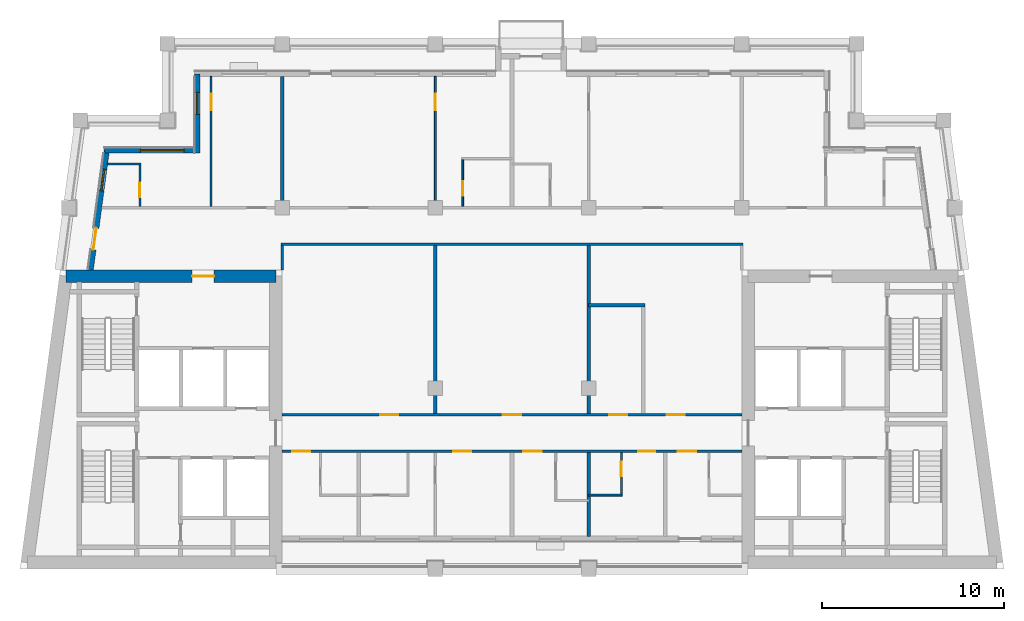
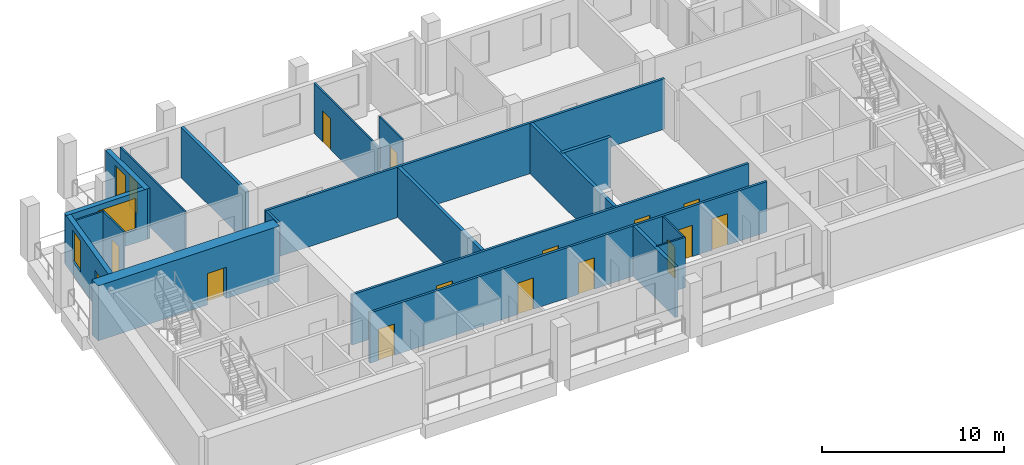
# One storey, part 3 of 10: 20 walls, 16 doors, 3 windows, 19 openings.
"""IFC4 building model written with IfcOpenShell, lengths in metres."""

from ifc_helpers import new_model, si_unit, direction, frame, frame_2d, origin, place, context, subcontext, project, spatial, rectangle, extrude, material, layer, layer_set, type_object, element, fill, save


model = new_model("IFC4")

# Units and contexts
model_context = context("Model", 3, precision=1e-05, world=origin(), true_north=direction((0.0, 1.0)))
body_context = subcontext(model_context, "Body", "Model", "MODEL_VIEW")
ifc_project = project(units=[si_unit("LENGTHUNIT", "METRE"), si_unit("AREAUNIT", "SQUARE_METRE"), si_unit("VOLUMEUNIT", "CUBIC_METRE"), si_unit("PLANEANGLEUNIT", "RADIAN"), si_unit("MASSUNIT", "GRAM", prefix="KILO")], contexts=[model_context])

# Site, building, storey
site_placement = place(None, origin())
site = spatial("IfcSite", under=ifc_project, at=site_placement, CompositionType="ELEMENT")
building_placement = place(site_placement, origin())
building = spatial("IfcBuilding", under=site, at=building_placement, Name="Candeia Pilgrim Tower and Theatre", CompositionType="ELEMENT")
storey_placement = place(building_placement, frame((0.0, 0.0, 284.89990234375)))
storey = spatial("IfcBuildingStorey", under=building, at=storey_placement, Name="L69", CompositionType="ELEMENT", Elevation=284.89990234375)

# Wall, opening, door
ifc_material_1 = material(Name="Concrete C40/50", Category="concrete")
ifc_layer_1 = layer(ifc_material_1, 0.699951171875)
ifc_layer_set_1 = layer_set([ifc_layer_1], Name="Core wall 700 C40/50")
wall_type_1 = type_object("IfcWallType", Name="Core wall 700 C40/50", PredefinedType="SHEAR", material=ifc_layer_set_1)
wall_1_placement = place(storey_placement, frame((88.936767578125, 132.050048828125, 0.0), z_axis=(0.0, 0.0, 1.0), x_axis=(1.0, 0.0, 0.0)))
wall_1 = element("IfcWall", 1, at=wall_1_placement, inside=storey, type_object=wall_type_1, Name="Core wall W1", PredefinedType="SHEAR", context=body_context, shape_type="SweptSolid", body=[
    extrude(rectangle(XDim=11.51318359375, YDim=0.699951171875, at=frame_2d((5.756591796875, 0.0))), origin(), (0.0, 0.0, 1.0), 3.7001953125),
])
opening_1_placement = place(wall_1_placement, frame((6.9267578125, 0.0, 0.0)))
opening_1 = element("IfcOpeningElement", 2, at=opening_1_placement, cuts=wall_1, Name="Opening L69-D036", PredefinedType="OPENING", context=body_context, shape_type="SweptSolid", body=[
    extrude(rectangle(XDim=1.199951171875, YDim=2.10009765625, at=frame_2d((0.60009765625, 1.050048828125))), frame((0.0, 0.35986328125, 0.0), z_axis=(0.0, -1.0, 0.0), x_axis=(1.0, 0.0, 0.0)), (0.0, 0.0, 1.0), 0.719970703125),
])
ifc_material_2 = material(Name="Steel fire door set", Category="steel")
door_type_1 = type_object("IfcDoorType", Name="D-1200-FD60", OperationType="NOTDEFINED", PredefinedType="DOOR", material=ifc_material_2)
door_1_placement = place(opening_1_placement, origin())
door_1 = element("IfcDoor", 3, at=door_1_placement, inside=storey, type_object=door_type_1, Name="Door L69-D036", OperationType="SINGLE_SWING_LEFT", OverallHeight=2.10009765625, OverallWidth=1.199951171875, PredefinedType="DOOR", context=body_context, shape_type="SweptSolid", body=[
    extrude(rectangle(XDim=1.199951171875, YDim=2.10009765625, at=frame_2d((0.60009765625, 1.050048828125))), frame((0.0, 0.02490234375, 0.0), z_axis=(0.0, -1.0, 0.0), x_axis=(1.0, 0.0, 0.0)), (0.0, 0.0, 1.0), 0.050048828125),
])
fill(opening_1, door_1)

# Wall, openings, door, window
ifc_material_3 = material(Name="Ceramic block masonry", Category="masonry")
ifc_layer_2 = layer(ifc_material_3, 0.300048828125)
ifc_layer_set_2 = layer_set([ifc_layer_2], Name="EW1 glazing-line wall 300")
wall_type_2 = type_object("IfcWallType", Name="EW1 glazing-line wall 300", PredefinedType="SOLIDWALL", material=ifc_layer_set_2)
wall_2_placement = place(storey_placement, frame((91.177490234375, 138.949951171875, 0.0), z_axis=(0.0, 0.0, 1.0), x_axis=(-0.133426664613, -0.991058689065, 0.0)))
wall_2 = element("IfcWall", 4, at=wall_2_placement, inside=storey, type_object=wall_type_2, Name="External wall L69-0.0", PredefinedType="SOLIDWALL", context=body_context, shape_type="SweptSolid", body=[
    extrude(rectangle(XDim=6.609130859375, YDim=0.300048828125, at=frame_2d((3.3046875, 0.0))), origin(), (0.0, 0.0, 1.0), 3.380126953125),
])
opening_2_placement = place(wall_2_placement, frame((1.039306640625, 0.0, 0.89990234375)))
opening_2 = element("IfcOpeningElement", 5, at=opening_2_placement, cuts=wall_2, Name="Opening W-B", PredefinedType="OPENING", context=body_context, shape_type="SweptSolid", body=[
    extrude(rectangle(XDim=1.199951171875, YDim=2.10009765625, at=frame_2d((0.60009765625, 1.050048828125))), frame((0.0, 0.16015625, 0.0), z_axis=(0.0, -1.0, 0.0), x_axis=(1.0, 0.0, 0.0)), (0.0, 0.0, 1.0), 0.320068359375),
])
opening_3_placement = place(wall_2_placement, frame((4.293701171875, 0.0, 0.0)))
opening_3 = element("IfcOpeningElement", 6, at=opening_3_placement, cuts=wall_2, Name="Opening L69-ED645", PredefinedType="OPENING", context=body_context, shape_type="SweptSolid", body=[
    extrude(rectangle(XDim=1.199951171875, YDim=2.39990234375, at=frame_2d((0.60009765625, 1.199951171875))), frame((0.0, 0.16015625, 0.0), z_axis=(0.0, -1.0, 0.0), x_axis=(1.0, 0.0, 0.0)), (0.0, 0.0, 1.0), 0.320068359375),
])
ifc_material_4 = material(Name="Aluminium framed glazed door", Category="aluminium")
door_type_2 = type_object("IfcDoorType", Name="Loggia door 1200x2400", OperationType="DOUBLE_DOOR_SINGLE_SWING", PredefinedType="DOOR", material=ifc_material_4)
door_2_placement = place(opening_3_placement, origin())
door_2 = element("IfcDoor", 7, at=door_2_placement, inside=storey, type_object=door_type_2, Name="Loggia door L69-ED645", OperationType="DOUBLE_DOOR_SINGLE_SWING", OverallHeight=2.39990234375, OverallWidth=1.199951171875, PredefinedType="DOOR", context=body_context, shape_type="SweptSolid", body=[
    extrude(rectangle(XDim=1.199951171875, YDim=2.39990234375, at=frame_2d((0.60009765625, 1.199951171875))), frame((0.0, 0.02490234375, 0.0), z_axis=(0.0, -1.0, 0.0), x_axis=(1.0, 0.0, 0.0)), (0.0, 0.0, 1.0), 0.050048828125),
])
fill(opening_3, door_2)
ifc_material_5 = material(Name="Aluminium framed double glazing", Category="aluminium")
window_type_1 = type_object("IfcWindowType", Name="W-B window 1200x2100", PartitioningType="SINGLE_PANEL", PredefinedType="WINDOW", material=ifc_material_5)
window_1_placement = place(opening_2_placement, origin())
window_1 = element("IfcWindow", 8, at=window_1_placement, inside=storey, type_object=window_type_1, Name="Window W-B L69", OverallHeight=2.10009765625, OverallWidth=1.199951171875, PartitioningType="SINGLE_PANEL", PredefinedType="WINDOW", context=body_context, shape_type="SweptSolid", body=[
    extrude(rectangle(XDim=1.199951171875, YDim=2.10009765625, at=frame_2d((0.60009765625, 1.050048828125))), frame((0.0, 0.030029296875, 0.0), z_axis=(0.0, -1.0, 0.0), x_axis=(1.0, 0.0, 0.0)), (0.0, 0.0, 1.0), 0.06005859375),
])
fill(opening_2, window_1)

# Wall, opening, window
wall_3_placement = place(storey_placement, frame((96.14990234375, 143.14990234375, 0.0), z_axis=(0.0, 0.0, 1.0), x_axis=(0.0, -1.0, 0.0)))
wall_3 = element("IfcWall", 9, at=wall_3_placement, inside=storey, type_object=wall_type_2, Name="External wall L69-6.0", PredefinedType="SOLIDWALL", context=body_context, shape_type="SweptSolid", body=[
    extrude(rectangle(XDim=4.349853515625, YDim=0.300048828125, at=frame_2d((2.1748046875, 0.0))), origin(), (0.0, 0.0, 1.0), 3.380126953125),
])
opening_4_placement = place(wall_3_placement, frame((1.02490234375, 0.0, 0.89990234375)))
opening_4 = element("IfcOpeningElement", 10, at=opening_4_placement, cuts=wall_3, Name="Opening W-B", PredefinedType="OPENING", context=body_context, shape_type="SweptSolid", body=[
    extrude(rectangle(XDim=1.199951171875, YDim=2.10009765625, at=frame_2d((0.60009765625, 1.050048828125))), frame((0.0, 0.16015625, 0.0), z_axis=(0.0, -1.0, 0.0), x_axis=(1.0, 0.0, 0.0)), (0.0, 0.0, 1.0), 0.320068359375),
])
window_2_placement = place(opening_4_placement, origin())
window_2 = element("IfcWindow", 11, at=window_2_placement, inside=storey, type_object=window_type_1, Name="Window W-B L69", OverallHeight=2.10009765625, OverallWidth=1.199951171875, PartitioningType="SINGLE_PANEL", PredefinedType="WINDOW", context=body_context, shape_type="SweptSolid", body=[
    extrude(rectangle(XDim=1.199951171875, YDim=2.10009765625, at=frame_2d((0.60009765625, 1.050048828125))), frame((0.0, 0.030029296875, 0.0), z_axis=(0.0, -1.0, 0.0), x_axis=(1.0, 0.0, 0.0)), (0.0, 0.0, 1.0), 0.06005859375),
])
fill(opening_4, window_2)

wall_4_placement = place(storey_placement, frame((96.14990234375, 138.949951171875, 0.0), z_axis=(0.0, 0.0, 1.0), x_axis=(-1.0, 0.0, 0.0)))
wall_4 = element("IfcWall", 12, at=wall_4_placement, inside=storey, type_object=wall_type_2, Name="External wall L69-7.0", PredefinedType="SOLIDWALL", context=body_context, shape_type="SweptSolid", body=[
    extrude(rectangle(XDim=5.103759765625, YDim=0.300048828125, at=frame_2d((2.5517578125, 0.0))), origin(), (0.0, 0.0, 1.0), 3.380126953125),
])
opening_5_placement = place(wall_4_placement, frame((0.72509765625, 0.0, 0.89990234375)))
opening_5 = element("IfcOpeningElement", 13, at=opening_5_placement, cuts=wall_4, Name="Opening W-A", PredefinedType="OPENING", context=body_context, shape_type="SweptSolid", body=[
    extrude(rectangle(XDim=2.39990234375, YDim=2.10009765625, at=frame_2d((1.199951171875, 1.050048828125))), frame((0.0, 0.16015625, 0.0), z_axis=(0.0, -1.0, 0.0), x_axis=(1.0, 0.0, 0.0)), (0.0, 0.0, 1.0), 0.320068359375),
])
window_type_2 = type_object("IfcWindowType", Name="W-A window 2400x2100", PartitioningType="DOUBLE_PANEL_VERTICAL", PredefinedType="WINDOW", material=ifc_material_5)
window_3_placement = place(opening_5_placement, origin())
window_3 = element("IfcWindow", 14, at=window_3_placement, inside=storey, type_object=window_type_2, Name="Window W-A L69", OverallHeight=2.10009765625, OverallWidth=2.39990234375, PartitioningType="SINGLE_PANEL", PredefinedType="WINDOW", context=body_context, shape_type="SweptSolid", body=[
    extrude(rectangle(XDim=2.39990234375, YDim=2.10009765625, at=frame_2d((1.199951171875, 1.050048828125))), frame((0.0, 0.030029296875, 0.0), z_axis=(0.0, -1.0, 0.0), x_axis=(1.0, 0.0, 0.0)), (0.0, 0.0, 1.0), 0.06005859375),
])
fill(opening_5, window_3)

# Walls
ifc_material_6 = material(Name="Gypsum board partition on steel studs", Category="steel")
ifc_layer_3 = layer(ifc_material_6, 0.10009765625)
ifc_layer_set_3 = layer_set([ifc_layer_3], Name="PW-100 room partition")
wall_type_3 = type_object("IfcWallType", Name="PW-100 room partition", PredefinedType="PARTITIONING", material=ifc_layer_set_3)
wall_5_placement = place(storey_placement, frame((117.60009765625, 120.050048828125, 0.0), z_axis=(0.0, 0.0, 1.0), x_axis=(1.0, 0.0, 0.0)))
element("IfcWall", 15, at=wall_5_placement, inside=storey, type_object=wall_type_3, Name="Room partition L69-011", PredefinedType="PARTITIONING", context=body_context, shape_type="SweptSolid", body=[
    extrude(rectangle(XDim=1.849853515625, YDim=0.10009765625, at=frame_2d((0.9248046875, 0.0))), origin(), (0.0, 0.0, 1.0), 3.380126953125),
])
wall_6_placement = place(storey_placement, frame((91.2177734375, 138.199951171875, 0.0), z_axis=(0.0, 0.0, 1.0), x_axis=(1.0, 0.0, 0.0)))
element("IfcWall", 16, at=wall_6_placement, inside=storey, type_object=wall_type_3, Name="Room partition L69-034", PredefinedType="PARTITIONING", context=body_context, shape_type="SweptSolid", body=[
    extrude(rectangle(XDim=1.832275390625, YDim=0.10009765625, at=frame_2d((0.916015625, 0.0))), origin(), (0.0, 0.0, 1.0), 3.380126953125),
])

# Wall, opening, door
wall_7_placement = place(storey_placement, frame((93.0, 135.875, 0.0), z_axis=(0.0, 0.0, 1.0), x_axis=(0.0, 1.0, 0.0)))
wall_7 = element("IfcWall", 17, at=wall_7_placement, inside=storey, type_object=wall_type_3, Name="Room partition L69-043", PredefinedType="PARTITIONING", context=body_context, shape_type="SweptSolid", body=[
    extrude(rectangle(XDim=2.27490234375, YDim=0.10009765625, at=frame_2d((1.137451171875, 0.0))), origin(), (0.0, 0.0, 1.0), 3.380126953125),
])
opening_6_placement = place(wall_7_placement, frame((0.5, 0.0, 0.0)))
opening_6 = element("IfcOpeningElement", 18, at=opening_6_placement, cuts=wall_7, Name="Opening L69-D022", PredefinedType="OPENING", context=body_context, shape_type="SweptSolid", body=[
    extrude(rectangle(XDim=0.800048828125, YDim=2.10009765625, at=frame_2d((0.39990234375, 1.050048828125))), frame((0.0, 0.06005859375, 0.0), z_axis=(0.0, -1.0, 0.0), x_axis=(1.0, 0.0, 0.0)), (0.0, 0.0, 1.0), 0.1201171875),
])
ifc_material_7 = material(Name="Timber door leaf", Category="wood")
door_type_3 = type_object("IfcDoorType", Name="D-800", OperationType="NOTDEFINED", PredefinedType="DOOR", material=ifc_material_7)
door_3_placement = place(opening_6_placement, origin())
door_3 = element("IfcDoor", 19, at=door_3_placement, inside=storey, type_object=door_type_3, Name="Door L69-D022", OperationType="SINGLE_SWING_LEFT", OverallHeight=2.10009765625, OverallWidth=0.800048828125, PredefinedType="DOOR", context=body_context, shape_type="SweptSolid", body=[
    extrude(rectangle(XDim=0.800048828125, YDim=2.10009765625, at=frame_2d((0.39990234375, 1.050048828125))), frame((0.0, 0.02490234375, 0.0), z_axis=(0.0, -1.0, 0.0), x_axis=(1.0, 0.0, 0.0)), (0.0, 0.0, 1.0), 0.050048828125),
])
fill(opening_6, door_3)

wall_8_placement = place(storey_placement, frame((96.89990234375, 135.875, 0.0), z_axis=(0.0, 0.0, 1.0), x_axis=(0.0, 1.0, 0.0)))
wall_8 = element("IfcWall", 20, at=wall_8_placement, inside=storey, type_object=wall_type_3, Name="Room partition L69-046", PredefinedType="PARTITIONING", context=body_context, shape_type="SweptSolid", body=[
    extrude(rectangle(XDim=7.135009765625, YDim=0.10009765625, at=frame_2d((3.5673828125, 0.0))), origin(), (0.0, 0.0, 1.0), 3.380126953125),
])
opening_7_placement = place(wall_8_placement, frame((5.2900390625, 0.0, 0.0)))
opening_7 = element("IfcOpeningElement", 21, at=opening_7_placement, cuts=wall_8, Name="Opening L69-D021", PredefinedType="OPENING", context=body_context, shape_type="SweptSolid", body=[
    extrude(rectangle(XDim=0.89990234375, YDim=2.10009765625, at=frame_2d((0.449951171875, 1.050048828125))), frame((0.0, 0.06005859375, 0.0), z_axis=(0.0, -1.0, 0.0), x_axis=(1.0, 0.0, 0.0)), (0.0, 0.0, 1.0), 0.1201171875),
])
door_type_4 = type_object("IfcDoorType", Name="D-900", OperationType="NOTDEFINED", PredefinedType="DOOR", material=ifc_material_7)
door_4_placement = place(opening_7_placement, origin())
door_4 = element("IfcDoor", 22, at=door_4_placement, inside=storey, type_object=door_type_4, Name="Door L69-D021", OperationType="SINGLE_SWING_RIGHT", OverallHeight=2.10009765625, OverallWidth=0.89990234375, PredefinedType="DOOR", context=body_context, shape_type="SweptSolid", body=[
    extrude(rectangle(XDim=0.89990234375, YDim=2.10009765625, at=frame_2d((0.449951171875, 1.050048828125))), frame((0.0, 0.02490234375, 0.0), z_axis=(0.0, -1.0, 0.0), x_axis=(1.0, 0.0, 0.0)), (0.0, 0.0, 1.0), 0.050048828125),
])
fill(opening_7, door_4)

wall_9_placement = place(storey_placement, frame((109.199951171875, 135.875, 0.0), z_axis=(0.0, 0.0, 1.0), x_axis=(0.0, 1.0, 0.0)))
wall_9 = element("IfcWall", 23, at=wall_9_placement, inside=storey, type_object=wall_type_3, Name="Room partition L69-056", PredefinedType="PARTITIONING", context=body_context, shape_type="SweptSolid", body=[
    extrude(rectangle(XDim=7.135009765625, YDim=0.10009765625, at=frame_2d((3.5673828125, 0.0))), origin(), (0.0, 0.0, 1.0), 3.380126953125),
])
opening_8_placement = place(wall_9_placement, frame((5.2900390625, 0.0, 0.0)))
opening_8 = element("IfcOpeningElement", 24, at=opening_8_placement, cuts=wall_9, Name="Opening L69-D024", PredefinedType="OPENING", context=body_context, shape_type="SweptSolid", body=[
    extrude(rectangle(XDim=0.89990234375, YDim=2.10009765625, at=frame_2d((0.449951171875, 1.050048828125))), frame((0.0, 0.06005859375, 0.0), z_axis=(0.0, -1.0, 0.0), x_axis=(1.0, 0.0, 0.0)), (0.0, 0.0, 1.0), 0.1201171875),
])
door_5_placement = place(opening_8_placement, origin())
door_5 = element("IfcDoor", 25, at=door_5_placement, inside=storey, type_object=door_type_4, Name="Door L69-D024", OperationType="SINGLE_SWING_LEFT", OverallHeight=2.10009765625, OverallWidth=0.89990234375, PredefinedType="DOOR", context=body_context, shape_type="SweptSolid", body=[
    extrude(rectangle(XDim=0.89990234375, YDim=2.10009765625, at=frame_2d((0.449951171875, 1.050048828125))), frame((0.0, 0.02490234375, 0.0), z_axis=(0.0, -1.0, 0.0), x_axis=(1.0, 0.0, 0.0)), (0.0, 0.0, 1.0), 0.050048828125),
])
fill(opening_8, door_5)

wall_10_placement = place(storey_placement, frame((110.699951171875, 135.875, 0.0), z_axis=(0.0, 0.0, 1.0), x_axis=(0.0, 1.0, 0.0)))
wall_10 = element("IfcWall", 26, at=wall_10_placement, inside=storey, type_object=wall_type_3, Name="Room partition L69-058", PredefinedType="PARTITIONING", context=body_context, shape_type="SweptSolid", body=[
    extrude(rectangle(XDim=2.574951171875, YDim=0.10009765625, at=frame_2d((1.28759765625, 0.0))), origin(), (0.0, 0.0, 1.0), 3.380126953125),
])
opening_9_placement = place(wall_10_placement, frame((0.574951171875, 0.0, 0.0)))
opening_9 = element("IfcOpeningElement", 27, at=opening_9_placement, cuts=wall_10, Name="Opening L69-D025", PredefinedType="OPENING", context=body_context, shape_type="SweptSolid", body=[
    extrude(rectangle(XDim=0.800048828125, YDim=2.10009765625, at=frame_2d((0.39990234375, 1.050048828125))), frame((0.0, 0.06005859375, 0.0), z_axis=(0.0, -1.0, 0.0), x_axis=(1.0, 0.0, 0.0)), (0.0, 0.0, 1.0), 0.1201171875),
])
door_6_placement = place(opening_9_placement, origin())
door_6 = element("IfcDoor", 28, at=door_6_placement, inside=storey, type_object=door_type_3, Name="Door L69-D025", OperationType="SINGLE_SWING_RIGHT", OverallHeight=2.10009765625, OverallWidth=0.800048828125, PredefinedType="DOOR", context=body_context, shape_type="SweptSolid", body=[
    extrude(rectangle(XDim=0.800048828125, YDim=2.10009765625, at=frame_2d((0.39990234375, 1.050048828125))), frame((0.0, 0.02490234375, 0.0), z_axis=(0.0, -1.0, 0.0), x_axis=(1.0, 0.0, 0.0)), (0.0, 0.0, 1.0), 0.050048828125),
])
fill(opening_9, door_6)

wall_11_placement = place(storey_placement, frame((119.39990234375, 120.10009765625, 0.0), z_axis=(0.0, 0.0, 1.0), x_axis=(0.0, 1.0, 0.0)))
wall_11 = element("IfcWall", 29, at=wall_11_placement, inside=storey, type_object=wall_type_3, Name="Room partition L69-066", PredefinedType="PARTITIONING", context=body_context, shape_type="SweptSolid", body=[
    extrude(rectangle(XDim=2.27490234375, YDim=0.10009765625, at=frame_2d((1.137451171875, 0.0))), origin(), (0.0, 0.0, 1.0), 3.380126953125),
])
opening_10_placement = place(wall_11_placement, frame((0.97509765625, 0.0, 0.0)))
opening_10 = element("IfcOpeningElement", 30, at=opening_10_placement, cuts=wall_11, Name="Opening L69-D017", PredefinedType="OPENING", context=body_context, shape_type="SweptSolid", body=[
    extrude(rectangle(XDim=0.800048828125, YDim=2.10009765625, at=frame_2d((0.39990234375, 1.050048828125))), frame((0.0, 0.06005859375, 0.0), z_axis=(0.0, -1.0, 0.0), x_axis=(1.0, 0.0, 0.0)), (0.0, 0.0, 1.0), 0.1201171875),
])
door_7_placement = place(opening_10_placement, origin())
door_7 = element("IfcDoor", 31, at=door_7_placement, inside=storey, type_object=door_type_3, Name="Door L69-D017", OperationType="SINGLE_SWING_RIGHT", OverallHeight=2.10009765625, OverallWidth=0.800048828125, PredefinedType="DOOR", context=body_context, shape_type="SweptSolid", body=[
    extrude(rectangle(XDim=0.800048828125, YDim=2.10009765625, at=frame_2d((0.39990234375, 1.050048828125))), frame((0.0, 0.02490234375, 0.0), z_axis=(0.0, -1.0, 0.0), x_axis=(1.0, 0.0, 0.0)), (0.0, 0.0, 1.0), 0.050048828125),
])
fill(opening_10, door_7)

# Wall, openings, doors
ifc_layer_4 = layer(ifc_material_6, 0.14990234375)
ifc_layer_set_4 = layer_set([ifc_layer_4], Name="PW-150 unit wall")
wall_type_4 = type_object("IfcWallType", Name="PW-150 unit wall", PredefinedType="PARTITIONING", material=ifc_layer_set_4)
wall_12_placement = place(storey_placement, frame((100.800048828125, 122.449951171875, 0.0), z_axis=(0.0, 0.0, 1.0), x_axis=(1.0, 0.0, 0.0)))
wall_12 = element("IfcWall", 32, at=wall_12_placement, inside=storey, type_object=wall_type_4, Name="Unit wall L69-017", PredefinedType="PARTITIONING", context=body_context, shape_type="SweptSolid", body=[
    extrude(rectangle(XDim=25.199951171875, YDim=0.14990234375, at=frame_2d((12.60009765625, 0.0))), origin(), (0.0, 0.0, 1.0), 3.380126953125),
])
opening_11_placement = place(wall_12_placement, frame((0.550048828125, 0.0, 0.0)))
opening_11 = element("IfcOpeningElement", 33, at=opening_11_placement, cuts=wall_12, Name="Opening L69-D009", PredefinedType="OPENING", context=body_context, shape_type="SweptSolid", body=[
    extrude(rectangle(XDim=1.0, YDim=2.10009765625, at=frame_2d((0.5, 1.050048828125))), frame((0.0, 0.0849609375, 0.0), z_axis=(0.0, -1.0, 0.0), x_axis=(1.0, 0.0, 0.0)), (0.0, 0.0, 1.0), 0.169921875),
])
opening_12_placement = place(wall_12_placement, frame((9.375, 0.0, 0.0)))
opening_12 = element("IfcOpeningElement", 34, at=opening_12_placement, cuts=wall_12, Name="Opening L69-D011", PredefinedType="OPENING", context=body_context, shape_type="SweptSolid", body=[
    extrude(rectangle(XDim=1.0, YDim=2.10009765625, at=frame_2d((0.5, 1.050048828125))), frame((0.0, 0.0849609375, 0.0), z_axis=(0.0, -1.0, 0.0), x_axis=(1.0, 0.0, 0.0)), (0.0, 0.0, 1.0), 0.169921875),
])
opening_13_placement = place(wall_12_placement, frame((13.22998046875, 0.0, 0.0)))
opening_13 = element("IfcOpeningElement", 35, at=opening_13_placement, cuts=wall_12, Name="Opening L69-D014", PredefinedType="OPENING", context=body_context, shape_type="SweptSolid", body=[
    extrude(rectangle(XDim=1.0, YDim=2.10009765625, at=frame_2d((0.5, 1.050048828125))), frame((0.0, 0.0849609375, 0.0), z_axis=(0.0, -1.0, 0.0), x_axis=(1.0, 0.0, 0.0)), (0.0, 0.0, 1.0), 0.169921875),
])
opening_14_placement = place(wall_12_placement, frame((19.512939453125, 0.0, 0.0)))
opening_14 = element("IfcOpeningElement", 36, at=opening_14_placement, cuts=wall_12, Name="Opening L69-D016", PredefinedType="OPENING", context=body_context, shape_type="SweptSolid", body=[
    extrude(rectangle(XDim=0.949951171875, YDim=2.10009765625, at=frame_2d((0.47509765625, 1.050048828125))), frame((0.0, 0.0849609375, 0.0), z_axis=(0.0, -1.0, 0.0), x_axis=(1.0, 0.0, 0.0)), (0.0, 0.0, 1.0), 0.169921875),
])
opening_15_placement = place(wall_12_placement, frame((21.699951171875, 0.0, 0.0)))
opening_15 = element("IfcOpeningElement", 37, at=opening_15_placement, cuts=wall_12, Name="Opening L69-D018", PredefinedType="OPENING", context=body_context, shape_type="SweptSolid", body=[
    extrude(rectangle(XDim=1.0, YDim=2.10009765625, at=frame_2d((0.5, 1.050048828125))), frame((0.0, 0.0849609375, 0.0), z_axis=(0.0, -1.0, 0.0), x_axis=(1.0, 0.0, 0.0)), (0.0, 0.0, 1.0), 0.169921875),
])
door_type_5 = type_object("IfcDoorType", Name="D-1000-FD30S", OperationType="NOTDEFINED", PredefinedType="DOOR", material=ifc_material_2)
door_8_placement = place(opening_11_placement, origin())
door_8 = element("IfcDoor", 38, at=door_8_placement, inside=storey, type_object=door_type_5, Name="Door L69-D009", OperationType="SINGLE_SWING_RIGHT", OverallHeight=2.10009765625, OverallWidth=1.0, PredefinedType="DOOR", context=body_context, shape_type="SweptSolid", body=[
    extrude(rectangle(XDim=1.0, YDim=2.10009765625, at=frame_2d((0.5, 1.050048828125))), frame((0.0, 0.02490234375, 0.0), z_axis=(0.0, -1.0, 0.0), x_axis=(1.0, 0.0, 0.0)), (0.0, 0.0, 1.0), 0.050048828125),
])
fill(opening_11, door_8)
door_9_placement = place(opening_12_placement, origin())
door_9 = element("IfcDoor", 39, at=door_9_placement, inside=storey, type_object=door_type_5, Name="Door L69-D011", OperationType="SINGLE_SWING_RIGHT", OverallHeight=2.10009765625, OverallWidth=1.0, PredefinedType="DOOR", context=body_context, shape_type="SweptSolid", body=[
    extrude(rectangle(XDim=1.0, YDim=2.10009765625, at=frame_2d((0.5, 1.050048828125))), frame((0.0, 0.02490234375, 0.0), z_axis=(0.0, -1.0, 0.0), x_axis=(1.0, 0.0, 0.0)), (0.0, 0.0, 1.0), 0.050048828125),
])
fill(opening_12, door_9)
door_10_placement = place(opening_13_placement, origin())
door_10 = element("IfcDoor", 40, at=door_10_placement, inside=storey, type_object=door_type_5, Name="Door L69-D014", OperationType="SINGLE_SWING_LEFT", OverallHeight=2.10009765625, OverallWidth=1.0, PredefinedType="DOOR", context=body_context, shape_type="SweptSolid", body=[
    extrude(rectangle(XDim=1.0, YDim=2.10009765625, at=frame_2d((0.5, 1.050048828125))), frame((0.0, 0.02490234375, 0.0), z_axis=(0.0, -1.0, 0.0), x_axis=(1.0, 0.0, 0.0)), (0.0, 0.0, 1.0), 0.050048828125),
])
fill(opening_13, door_10)
door_11_placement = place(opening_15_placement, origin())
door_11 = element("IfcDoor", 41, at=door_11_placement, inside=storey, type_object=door_type_5, Name="Door L69-D018", OperationType="SINGLE_SWING_LEFT", OverallHeight=2.10009765625, OverallWidth=1.0, PredefinedType="DOOR", context=body_context, shape_type="SweptSolid", body=[
    extrude(rectangle(XDim=1.0, YDim=2.10009765625, at=frame_2d((0.5, 1.050048828125))), frame((0.0, 0.02490234375, 0.0), z_axis=(0.0, -1.0, 0.0), x_axis=(1.0, 0.0, 0.0)), (0.0, 0.0, 1.0), 0.050048828125),
])
fill(opening_15, door_11)
door_type_6 = type_object("IfcDoorType", Name="D-950-FD30S", OperationType="NOTDEFINED", PredefinedType="DOOR", material=ifc_material_2)
door_12_placement = place(opening_14_placement, origin())
door_12 = element("IfcDoor", 42, at=door_12_placement, inside=storey, type_object=door_type_6, Name="Door L69-D016", OperationType="SINGLE_SWING_LEFT", OverallHeight=2.10009765625, OverallWidth=0.949951171875, PredefinedType="DOOR", context=body_context, shape_type="SweptSolid", body=[
    extrude(rectangle(XDim=0.949951171875, YDim=2.10009765625, at=frame_2d((0.47509765625, 1.050048828125))), frame((0.0, 0.02490234375, 0.0), z_axis=(0.0, -1.0, 0.0), x_axis=(1.0, 0.0, 0.0)), (0.0, 0.0, 1.0), 0.050048828125),
])
fill(opening_14, door_12)

wall_13_placement = place(storey_placement, frame((100.800048828125, 124.449951171875, 0.0), z_axis=(0.0, 0.0, 1.0), x_axis=(1.0, 0.0, 0.0)))
wall_13 = element("IfcWall", 43, at=wall_13_placement, inside=storey, type_object=wall_type_4, Name="Unit wall L69-022", PredefinedType="PARTITIONING", context=body_context, shape_type="SweptSolid", body=[
    extrude(rectangle(XDim=25.199951171875, YDim=0.14990234375, at=frame_2d((12.60009765625, 0.0))), origin(), (0.0, 0.0, 1.0), 3.380126953125),
])
opening_16_placement = place(wall_13_placement, frame((21.074951171875, 0.0, 0.0)))
opening_16 = element("IfcOpeningElement", 44, at=opening_16_placement, cuts=wall_13, Name="Opening L69-D032", PredefinedType="OPENING", context=body_context, shape_type="SweptSolid", body=[
    extrude(rectangle(XDim=1.0, YDim=2.10009765625, at=frame_2d((0.5, 1.050048828125))), frame((0.0, 0.0849609375, 0.0), z_axis=(0.0, -1.0, 0.0), x_axis=(1.0, 0.0, 0.0)), (0.0, 0.0, 1.0), 0.169921875),
])
opening_17_placement = place(wall_13_placement, frame((5.375, 0.0, 0.0)))
opening_17 = element("IfcOpeningElement", 45, at=opening_17_placement, cuts=wall_13, Name="Opening L69-D033", PredefinedType="OPENING", context=body_context, shape_type="SweptSolid", body=[
    extrude(rectangle(XDim=1.0, YDim=2.10009765625, at=frame_2d((0.5, 1.050048828125))), frame((0.0, 0.0849609375, 0.0), z_axis=(0.0, -1.0, 0.0), x_axis=(1.0, 0.0, 0.0)), (0.0, 0.0, 1.0), 0.169921875),
])
opening_18_placement = place(wall_13_placement, frame((12.10009765625, 0.0, 0.0)))
opening_18 = element("IfcOpeningElement", 46, at=opening_18_placement, cuts=wall_13, Name="Opening L69-D034", PredefinedType="OPENING", context=body_context, shape_type="SweptSolid", body=[
    extrude(rectangle(XDim=1.0, YDim=2.10009765625, at=frame_2d((0.5, 1.050048828125))), frame((0.0, 0.0849609375, 0.0), z_axis=(0.0, -1.0, 0.0), x_axis=(1.0, 0.0, 0.0)), (0.0, 0.0, 1.0), 0.169921875),
])
opening_19_placement = place(wall_13_placement, frame((17.929931640625, 0.0, 0.0)))
opening_19 = element("IfcOpeningElement", 47, at=opening_19_placement, cuts=wall_13, Name="Opening L69-D035", PredefinedType="OPENING", context=body_context, shape_type="SweptSolid", body=[
    extrude(rectangle(XDim=1.0, YDim=2.10009765625, at=frame_2d((0.5, 1.050048828125))), frame((0.0, 0.0849609375, 0.0), z_axis=(0.0, -1.0, 0.0), x_axis=(1.0, 0.0, 0.0)), (0.0, 0.0, 1.0), 0.169921875),
])
door_13_placement = place(opening_16_placement, origin())
door_13 = element("IfcDoor", 48, at=door_13_placement, inside=storey, type_object=door_type_5, Name="Door L69-D032", OperationType="SINGLE_SWING_LEFT", OverallHeight=2.10009765625, OverallWidth=1.0, PredefinedType="DOOR", context=body_context, shape_type="SweptSolid", body=[
    extrude(rectangle(XDim=1.0, YDim=2.10009765625, at=frame_2d((0.5, 1.050048828125))), frame((0.0, 0.02490234375, 0.0), z_axis=(0.0, -1.0, 0.0), x_axis=(1.0, 0.0, 0.0)), (0.0, 0.0, 1.0), 0.050048828125),
])
fill(opening_16, door_13)
door_14_placement = place(opening_17_placement, origin())
door_14 = element("IfcDoor", 49, at=door_14_placement, inside=storey, type_object=door_type_5, Name="Door L69-D033", OperationType="SINGLE_SWING_RIGHT", OverallHeight=2.10009765625, OverallWidth=1.0, PredefinedType="DOOR", context=body_context, shape_type="SweptSolid", body=[
    extrude(rectangle(XDim=1.0, YDim=2.10009765625, at=frame_2d((0.5, 1.050048828125))), frame((0.0, 0.02490234375, 0.0), z_axis=(0.0, -1.0, 0.0), x_axis=(1.0, 0.0, 0.0)), (0.0, 0.0, 1.0), 0.050048828125),
])
fill(opening_17, door_14)
door_15_placement = place(opening_18_placement, origin())
door_15 = element("IfcDoor", 50, at=door_15_placement, inside=storey, type_object=door_type_5, Name="Door L69-D034", OperationType="SINGLE_SWING_LEFT", OverallHeight=2.10009765625, OverallWidth=1.0, PredefinedType="DOOR", context=body_context, shape_type="SweptSolid", body=[
    extrude(rectangle(XDim=1.0, YDim=2.10009765625, at=frame_2d((0.5, 1.050048828125))), frame((0.0, 0.02490234375, 0.0), z_axis=(0.0, -1.0, 0.0), x_axis=(1.0, 0.0, 0.0)), (0.0, 0.0, 1.0), 0.050048828125),
])
fill(opening_18, door_15)
door_16_placement = place(opening_19_placement, origin())
door_16 = element("IfcDoor", 51, at=door_16_placement, inside=storey, type_object=door_type_5, Name="Door L69-D035", OperationType="SINGLE_SWING_RIGHT", OverallHeight=2.10009765625, OverallWidth=1.0, PredefinedType="DOOR", context=body_context, shape_type="SweptSolid", body=[
    extrude(rectangle(XDim=1.0, YDim=2.10009765625, at=frame_2d((0.5, 1.050048828125))), frame((0.0, 0.02490234375, 0.0), z_axis=(0.0, -1.0, 0.0), x_axis=(1.0, 0.0, 0.0)), (0.0, 0.0, 1.0), 0.050048828125),
])
fill(opening_19, door_16)

# Walls
wall_14_placement = place(storey_placement, frame((100.72509765625, 133.800048828125, 0.0), z_axis=(0.0, 0.0, 1.0), x_axis=(1.0, 0.0, 0.0)))
element("IfcWall", 52, at=wall_14_placement, inside=storey, type_object=wall_type_4, Name="Unit wall L69-032", PredefinedType="PARTITIONING", context=body_context, shape_type="SweptSolid", body=[
    extrude(rectangle(XDim=25.349853515625, YDim=0.14990234375, at=frame_2d((12.6748046875, 0.0))), origin(), (0.0, 0.0, 1.0), 3.380126953125),
])
wall_15_placement = place(storey_placement, frame((100.800048828125, 132.39990234375, 0.0), z_axis=(0.0, 0.0, 1.0), x_axis=(0.0, 1.0, 0.0)))
element("IfcWall", 53, at=wall_15_placement, inside=storey, type_object=wall_type_4, Name="Unit wall L69-051", PredefinedType="PARTITIONING", context=body_context, shape_type="SweptSolid", body=[
    extrude(rectangle(XDim=1.3251953125, YDim=0.14990234375, at=frame_2d((0.66259765625, 0.0))), origin(), (0.0, 0.0, 1.0), 3.380126953125),
])
ifc_layer_5 = layer(ifc_material_6, 0.199951171875)
ifc_layer_set_5 = layer_set([ifc_layer_5], Name="PW-200 party wall")
wall_type_5 = type_object("IfcWallType", Name="PW-200 party wall", PredefinedType="PARTITIONING", material=ifc_layer_set_5)
wall_16_placement = place(storey_placement, frame((117.60009765625, 130.449951171875, 0.0), z_axis=(0.0, 0.0, 1.0), x_axis=(1.0, 0.0, 0.0)))
element("IfcWall", 54, at=wall_16_placement, inside=storey, type_object=wall_type_5, Name="Party wall L69-029", PredefinedType="PARTITIONING", context=body_context, shape_type="SweptSolid", body=[
    extrude(rectangle(XDim=3.099853515625, YDim=0.199951171875, at=frame_2d((1.5498046875, 0.0))), origin(), (0.0, 0.0, 1.0), 3.380126953125),
])
wall_17_placement = place(storey_placement, frame((100.800048828125, 135.875, 0.0), z_axis=(0.0, 0.0, 1.0), x_axis=(0.0, 1.0, 0.0)))
element("IfcWall", 55, at=wall_17_placement, inside=storey, type_object=wall_type_5, Name="Party wall L69-050", PredefinedType="PARTITIONING", context=body_context, shape_type="SweptSolid", body=[
    extrude(rectangle(XDim=7.135009765625, YDim=0.199951171875, at=frame_2d((3.5673828125, 0.0))), origin(), (0.0, 0.0, 1.0), 3.380126953125),
])
wall_18_placement = place(storey_placement, frame((109.199951171875, 124.52490234375, 0.0), z_axis=(0.0, 0.0, 1.0), x_axis=(0.0, 1.0, 0.0)))
element("IfcWall", 56, at=wall_18_placement, inside=storey, type_object=wall_type_5, Name="Party wall L69-057", PredefinedType="PARTITIONING", context=body_context, shape_type="SweptSolid", body=[
    extrude(rectangle(XDim=9.2001953125, YDim=0.199951171875, at=frame_2d((4.60009765625, 0.0))), origin(), (0.0, 0.0, 1.0), 3.380126953125),
])
wall_19_placement = place(storey_placement, frame((117.60009765625, 117.7900390625, 0.0), z_axis=(0.0, 0.0, 1.0), x_axis=(0.0, 1.0, 0.0)))
element("IfcWall", 57, at=wall_19_placement, inside=storey, type_object=wall_type_5, Name="Party wall L69-064", PredefinedType="PARTITIONING", context=body_context, shape_type="SweptSolid", body=[
    extrude(rectangle(XDim=4.5849609375, YDim=0.199951171875, at=frame_2d((2.29248046875, 0.0))), origin(), (0.0, 0.0, 1.0), 3.380126953125),
])
wall_20_placement = place(storey_placement, frame((117.60009765625, 124.52490234375, 0.0), z_axis=(0.0, 0.0, 1.0), x_axis=(0.0, 1.0, 0.0)))
element("IfcWall", 58, at=wall_20_placement, inside=storey, type_object=wall_type_5, Name="Party wall L69-065", PredefinedType="PARTITIONING", context=body_context, shape_type="SweptSolid", body=[
    extrude(rectangle(XDim=9.2001953125, YDim=0.199951171875, at=frame_2d((4.60009765625, 0.0))), origin(), (0.0, 0.0, 1.0), 3.380126953125),
])

save(model, "model.ifc")
